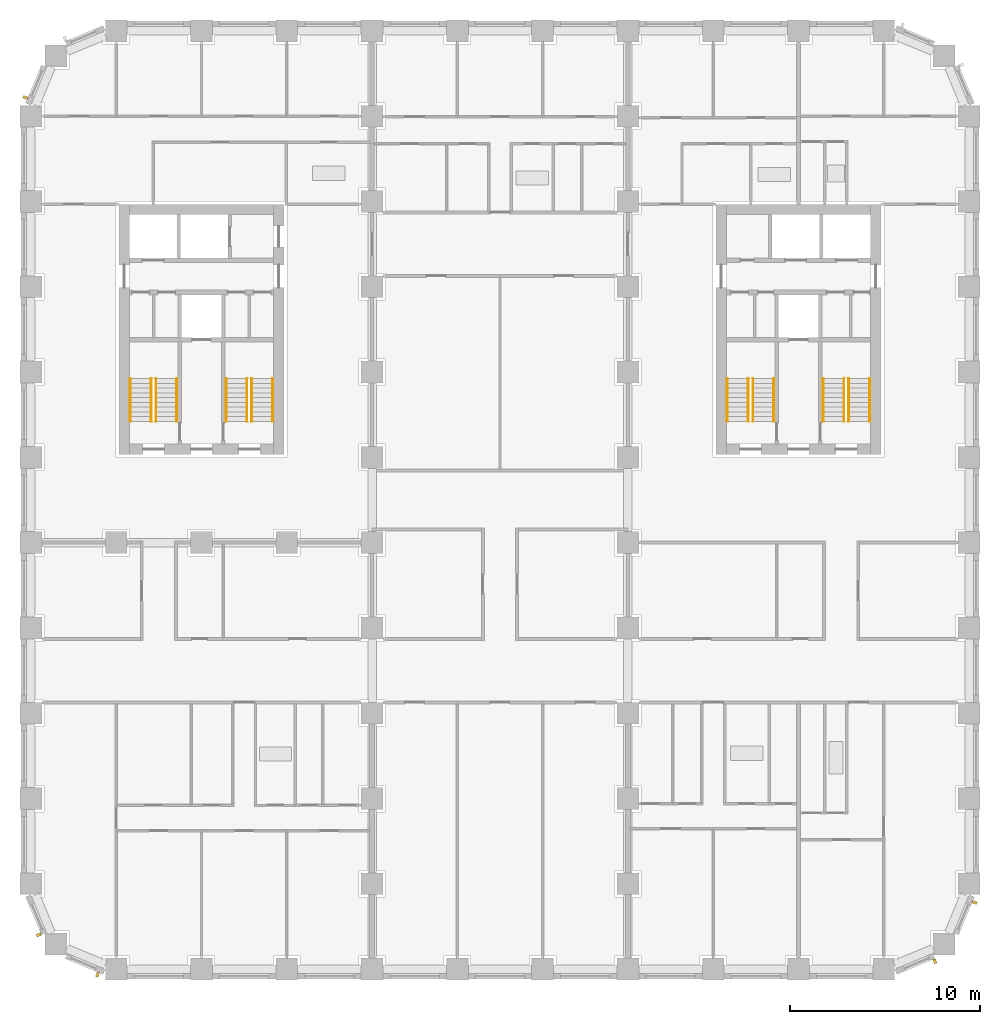
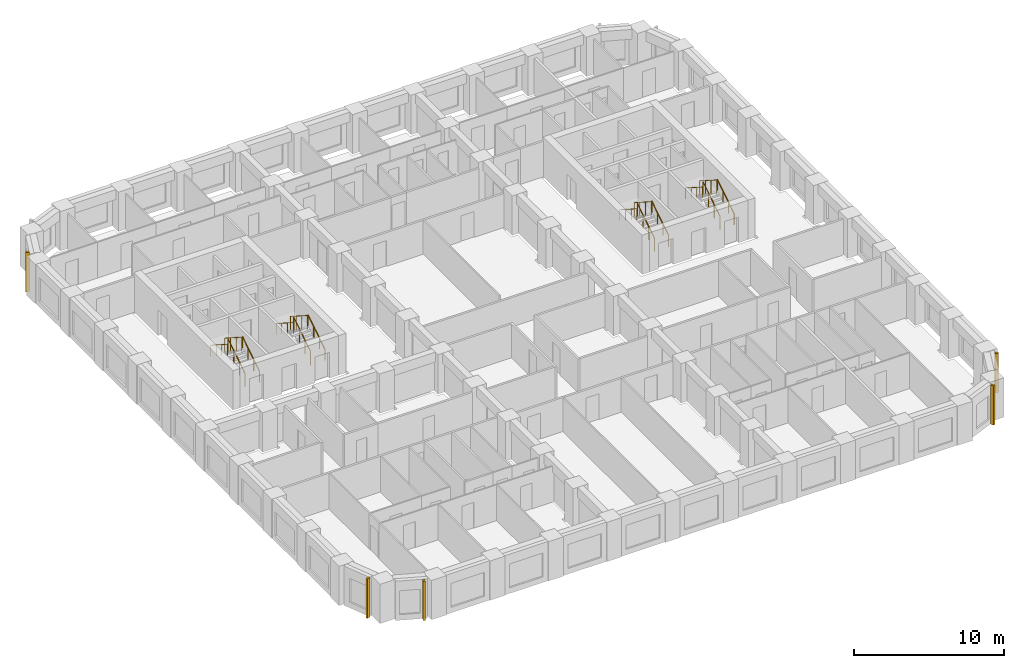
# One storey, part 11 of 13: 16 railings, 5 shading devices.
"""IFC4 building model written with IfcOpenShell, lengths in metres."""

from ifc_helpers import new_model, si_unit, direction, frame, origin, origin_2d, place, context, subcontext, project, spatial, rectangle, circle, extrude, material, type_object, element, save


model = new_model("IFC4")

# Units and contexts
model_context = context("Model", 3, precision=1e-05, world=origin(), true_north=direction((0.0, 1.0)))
body_context = subcontext(model_context, "Body", "Model", "MODEL_VIEW")
ifc_project = project(units=[si_unit("LENGTHUNIT", "METRE"), si_unit("AREAUNIT", "SQUARE_METRE"), si_unit("VOLUMEUNIT", "CUBIC_METRE"), si_unit("PLANEANGLEUNIT", "RADIAN"), si_unit("MASSUNIT", "GRAM", prefix="KILO")], contexts=[model_context])

# Site, building, storey
site_placement = place(None, origin())
site = spatial("IfcSite", under=ifc_project, at=site_placement, CompositionType="ELEMENT")
building_placement = place(site_placement, origin())
building = spatial("IfcBuilding", under=site, at=building_placement, Name="Girih Gate Residences", CompositionType="ELEMENT")
storey_placement = place(building_placement, frame((0.0, 0.0, 80.0)))
storey = spatial("IfcBuildingStorey", under=building, at=storey_placement, Name="L21", CompositionType="ELEMENT", Elevation=80.0)

# Shading devices
ifc_material_1 = material(Name="Precast concrete C50/60", Category="concrete")
shading_device_type = type_object("IfcShadingDeviceType", Name="Corner rib 150x250", PredefinedType="USERDEFINED", material=ifc_material_1)
for number, where, z_axis, x_axis, name in (
    (1, (0.412353515625, 1.8056640625, 0.0), (0.0, 0.0, 1.0), (0.382683432365, -0.923879532511, 0.0), "Corner rib SW0000_0045.0"),
    (2, (3.514892578125, -0.29541015625, 0.0), (0.0, 0.0, 1.0), (0.923879532511, -0.382683432365, 0.0), "Corner rib SW0013_0013.0"),
    (3, (47.6943359375, 0.412353515625, 0.0), (0.0, 0.0, 1.0), (0.923879532511, 0.382683432365, 0.0), "Corner rib SE0450_0000.0"),
    (4, (49.79541015625, 3.514892578125, 0.0), (0.0, 0.0, 1.0), (0.382683432365, 0.923879532511, 0.0), "Corner rib SE0482_0013.0"),
    (5, (-0.29541015625, 45.985107421875, 0.0), (0.0, 0.0, 1.0), (-0.382683432365, -0.923879532511, 0.0), "Corner rib NW0013_0482.0"),
):
    element("IfcShadingDevice", number, at=place(storey_placement, frame(where, z_axis=z_axis, x_axis=x_axis)), inside=storey, type_object=shading_device_type, Name=name, ObjectType="FIN", PredefinedType="USERDEFINED", context=body_context, shape_type="SweptSolid", body=[
        extrude(rectangle(XDim=0.14990234375, YDim=0.25, at=origin_2d()), origin(), (0.0, 0.0, 1.0), 3.199951171875),
    ])

# Railings
ifc_material_2 = material(Name="Stainless steel", Category="steel")
railing_type_1 = type_object("IfcRailingType", Name="Stair guard 1100", PredefinedType="GUARDRAIL", material=ifc_material_2)
railing_1_placement = place(storey_placement, frame((6.60009765625, 28.89990234375, 0.159912109375)))
element("IfcRailing", 6, at=railing_1_placement, inside=storey, type_object=railing_type_1, Name="L21 ST-W1 stair guard 1", PredefinedType="GUARDRAIL", context=body_context, shape_type="SweptSolid", body=[
    extrude(circle(Radius=0.02392578125, at=origin_2d()), frame((0.0, 0.0, 1.076171875), z_axis=(0.0, 0.842239864353, 0.539102968731), x_axis=(-1.0, 0.0, 0.0)), (0.0, 0.0, 1.0), 2.67138671875),
    extrude(circle(Radius=0.02099609375, at=origin_2d()), origin(), (0.0, 0.0, 1.0), 1.052001953125),
    extrude(circle(Radius=0.02099609375, at=origin_2d()), frame((0.0, 0.75, 0.47998046875)), (0.0, 0.0, 1.0), 1.052001953125),
    extrude(circle(Radius=0.02099609375, at=origin_2d()), frame((0.0, 1.5, 0.960205078125)), (0.0, 0.0, 1.0), 1.052001953125),
    extrude(circle(Radius=0.02099609375, at=origin_2d()), frame((0.0, 2.25, 1.440185546875)), (0.0, 0.0, 1.0), 1.052001953125),
])
railing_2_placement = place(storey_placement, frame((6.35009765625, 31.14990234375, 1.760009765625)))
element("IfcRailing", 7, at=railing_2_placement, inside=storey, type_object=railing_type_1, Name="L21 ST-W1 stair guard 2", PredefinedType="GUARDRAIL", context=body_context, shape_type="SweptSolid", body=[
    extrude(circle(Radius=0.02392578125, at=origin_2d()), frame((0.0, 0.0, 1.076171875), z_axis=(0.0, -0.842281359387, 0.539038135598), x_axis=(1.0, 0.0, 0.0)), (0.0, 0.0, 1.0), 2.67138671875),
    extrude(circle(Radius=0.02099609375, at=origin_2d()), origin(), (0.0, 0.0, 1.0), 1.052001953125),
    extrude(circle(Radius=0.02099609375, at=origin_2d()), frame((0.0, -0.75, 0.47998046875)), (0.0, 0.0, 1.0), 1.052001953125),
    extrude(circle(Radius=0.02099609375, at=origin_2d()), frame((0.0, -1.5, 0.9599609375)), (0.0, 0.0, 1.0), 1.052001953125),
    extrude(circle(Radius=0.02099609375, at=origin_2d()), frame((0.0, -2.25, 1.43994140625)), (0.0, 0.0, 1.0), 1.052001953125),
])
railing_3_placement = place(storey_placement, frame((11.64990234375, 28.89990234375, 0.159912109375)))
element("IfcRailing", 8, at=railing_3_placement, inside=storey, type_object=railing_type_1, Name="L21 ST-W2 stair guard 1", PredefinedType="GUARDRAIL", context=body_context, shape_type="SweptSolid", body=[
    extrude(circle(Radius=0.02392578125, at=origin_2d()), frame((0.0, 0.0, 1.076171875), z_axis=(0.0, 0.842239864353, 0.539102968731), x_axis=(-1.0, 0.0, 0.0)), (0.0, 0.0, 1.0), 2.67138671875),
    extrude(circle(Radius=0.02099609375, at=origin_2d()), origin(), (0.0, 0.0, 1.0), 1.052001953125),
    extrude(circle(Radius=0.02099609375, at=origin_2d()), frame((0.0, 0.75, 0.47998046875)), (0.0, 0.0, 1.0), 1.052001953125),
    extrude(circle(Radius=0.02099609375, at=origin_2d()), frame((0.0, 1.5, 0.960205078125)), (0.0, 0.0, 1.0), 1.052001953125),
    extrude(circle(Radius=0.02099609375, at=origin_2d()), frame((0.0, 2.25, 1.440185546875)), (0.0, 0.0, 1.0), 1.052001953125),
])
railing_4_placement = place(storey_placement, frame((11.39990234375, 31.14990234375, 1.760009765625)))
element("IfcRailing", 9, at=railing_4_placement, inside=storey, type_object=railing_type_1, Name="L21 ST-W2 stair guard 2", PredefinedType="GUARDRAIL", context=body_context, shape_type="SweptSolid", body=[
    extrude(circle(Radius=0.02392578125, at=origin_2d()), frame((0.0, 0.0, 1.076171875), z_axis=(0.0, -0.842281359387, 0.539038135598), x_axis=(1.0, 0.0, 0.0)), (0.0, 0.0, 1.0), 2.67138671875),
    extrude(circle(Radius=0.02099609375, at=origin_2d()), origin(), (0.0, 0.0, 1.0), 1.052001953125),
    extrude(circle(Radius=0.02099609375, at=origin_2d()), frame((0.0, -0.75, 0.47998046875)), (0.0, 0.0, 1.0), 1.052001953125),
    extrude(circle(Radius=0.02099609375, at=origin_2d()), frame((0.0, -1.5, 0.9599609375)), (0.0, 0.0, 1.0), 1.052001953125),
    extrude(circle(Radius=0.02099609375, at=origin_2d()), frame((0.0, -2.25, 1.43994140625)), (0.0, 0.0, 1.0), 1.052001953125),
])
railing_5_placement = place(storey_placement, frame((43.14990234375, 28.89990234375, 0.159912109375)))
element("IfcRailing", 10, at=railing_5_placement, inside=storey, type_object=railing_type_1, Name="L21 ST-E1 stair guard 1", PredefinedType="GUARDRAIL", context=body_context, shape_type="SweptSolid", body=[
    extrude(circle(Radius=0.02392578125, at=origin_2d()), frame((0.0, 0.0, 1.076171875), z_axis=(0.0, 0.842239864353, 0.539102968731), x_axis=(-1.0, 0.0, 0.0)), (0.0, 0.0, 1.0), 2.67138671875),
    extrude(circle(Radius=0.02099609375, at=origin_2d()), origin(), (0.0, 0.0, 1.0), 1.052001953125),
    extrude(circle(Radius=0.02099609375, at=origin_2d()), frame((0.0, 0.75, 0.47998046875)), (0.0, 0.0, 1.0), 1.052001953125),
    extrude(circle(Radius=0.02099609375, at=origin_2d()), frame((0.0, 1.5, 0.960205078125)), (0.0, 0.0, 1.0), 1.052001953125),
    extrude(circle(Radius=0.02099609375, at=origin_2d()), frame((0.0, 2.25, 1.440185546875)), (0.0, 0.0, 1.0), 1.052001953125),
])
railing_6_placement = place(storey_placement, frame((42.89990234375, 31.14990234375, 1.760009765625)))
element("IfcRailing", 11, at=railing_6_placement, inside=storey, type_object=railing_type_1, Name="L21 ST-E1 stair guard 2", PredefinedType="GUARDRAIL", context=body_context, shape_type="SweptSolid", body=[
    extrude(circle(Radius=0.02392578125, at=origin_2d()), frame((0.0, 0.0, 1.076171875), z_axis=(0.0, -0.842281359387, 0.539038135598), x_axis=(1.0, 0.0, 0.0)), (0.0, 0.0, 1.0), 2.67138671875),
    extrude(circle(Radius=0.02099609375, at=origin_2d()), origin(), (0.0, 0.0, 1.0), 1.052001953125),
    extrude(circle(Radius=0.02099609375, at=origin_2d()), frame((0.0, -0.75, 0.47998046875)), (0.0, 0.0, 1.0), 1.052001953125),
    extrude(circle(Radius=0.02099609375, at=origin_2d()), frame((0.0, -1.5, 0.9599609375)), (0.0, 0.0, 1.0), 1.052001953125),
    extrude(circle(Radius=0.02099609375, at=origin_2d()), frame((0.0, -2.25, 1.43994140625)), (0.0, 0.0, 1.0), 1.052001953125),
])
railing_7_placement = place(storey_placement, frame((38.10009765625, 28.89990234375, 0.159912109375)))
element("IfcRailing", 12, at=railing_7_placement, inside=storey, type_object=railing_type_1, Name="L21 ST-E2 stair guard 1", PredefinedType="GUARDRAIL", context=body_context, shape_type="SweptSolid", body=[
    extrude(circle(Radius=0.02392578125, at=origin_2d()), frame((0.0, 0.0, 1.076171875), z_axis=(0.0, 0.842239864353, 0.539102968731), x_axis=(-1.0, 0.0, 0.0)), (0.0, 0.0, 1.0), 2.67138671875),
    extrude(circle(Radius=0.02099609375, at=origin_2d()), origin(), (0.0, 0.0, 1.0), 1.052001953125),
    extrude(circle(Radius=0.02099609375, at=origin_2d()), frame((0.0, 0.75, 0.47998046875)), (0.0, 0.0, 1.0), 1.052001953125),
    extrude(circle(Radius=0.02099609375, at=origin_2d()), frame((0.0, 1.5, 0.960205078125)), (0.0, 0.0, 1.0), 1.052001953125),
    extrude(circle(Radius=0.02099609375, at=origin_2d()), frame((0.0, 2.25, 1.440185546875)), (0.0, 0.0, 1.0), 1.052001953125),
])
railing_8_placement = place(storey_placement, frame((37.85009765625, 31.14990234375, 1.760009765625)))
element("IfcRailing", 13, at=railing_8_placement, inside=storey, type_object=railing_type_1, Name="L21 ST-E2 stair guard 2", PredefinedType="GUARDRAIL", context=body_context, shape_type="SweptSolid", body=[
    extrude(circle(Radius=0.02392578125, at=origin_2d()), frame((0.0, 0.0, 1.076171875), z_axis=(0.0, -0.842281359387, 0.539038135598), x_axis=(1.0, 0.0, 0.0)), (0.0, 0.0, 1.0), 2.67138671875),
    extrude(circle(Radius=0.02099609375, at=origin_2d()), origin(), (0.0, 0.0, 1.0), 1.052001953125),
    extrude(circle(Radius=0.02099609375, at=origin_2d()), frame((0.0, -0.75, 0.47998046875)), (0.0, 0.0, 1.0), 1.052001953125),
    extrude(circle(Radius=0.02099609375, at=origin_2d()), frame((0.0, -1.5, 0.9599609375)), (0.0, 0.0, 1.0), 1.052001953125),
    extrude(circle(Radius=0.02099609375, at=origin_2d()), frame((0.0, -2.25, 1.43994140625)), (0.0, 0.0, 1.0), 1.052001953125),
])
railing_type_2 = type_object("IfcRailingType", Name="Stair handrail 900", PredefinedType="HANDRAIL", material=ifc_material_2)
railing_9_placement = place(storey_placement, frame((7.699951171875, 28.89990234375, 0.159912109375)))
element("IfcRailing", 14, at=railing_9_placement, inside=storey, type_object=railing_type_2, Name="L21 ST-W1 stair handrail 1", PredefinedType="HANDRAIL", context=body_context, shape_type="SweptSolid", body=[
    extrude(circle(Radius=0.02392578125, at=origin_2d()), frame((0.0, 0.0, 0.8857421875), z_axis=(0.0, 0.842239864353, 0.539102968731), x_axis=(-1.0, 0.0, 0.0)), (0.0, 0.0, 1.0), 2.67138671875),
    extrude(circle(Radius=0.02099609375, at=origin_2d()), origin(), (0.0, 0.0, 1.0), 0.86181640625),
    extrude(circle(Radius=0.02099609375, at=origin_2d()), frame((0.0, 0.75, 0.47998046875)), (0.0, 0.0, 1.0), 0.86181640625),
    extrude(circle(Radius=0.02099609375, at=origin_2d()), frame((0.0, 1.5, 0.960205078125)), (0.0, 0.0, 1.0), 0.86181640625),
    extrude(circle(Radius=0.02099609375, at=origin_2d()), frame((0.0, 2.25, 1.440185546875)), (0.0, 0.0, 1.0), 0.86181640625),
])
railing_10_placement = place(storey_placement, frame((5.25, 31.14990234375, 1.760009765625)))
element("IfcRailing", 15, at=railing_10_placement, inside=storey, type_object=railing_type_2, Name="L21 ST-W1 stair handrail 2", PredefinedType="HANDRAIL", context=body_context, shape_type="SweptSolid", body=[
    extrude(circle(Radius=0.02392578125, at=origin_2d()), frame((0.0, 0.0, 0.8857421875), z_axis=(0.0, -0.842281359387, 0.539038135598), x_axis=(1.0, 0.0, 0.0)), (0.0, 0.0, 1.0), 2.67138671875),
    extrude(circle(Radius=0.02099609375, at=origin_2d()), origin(), (0.0, 0.0, 1.0), 0.86181640625),
    extrude(circle(Radius=0.02099609375, at=origin_2d()), frame((0.0, -0.75, 0.47998046875)), (0.0, 0.0, 1.0), 0.86181640625),
    extrude(circle(Radius=0.02099609375, at=origin_2d()), frame((0.0, -1.5, 0.9599609375)), (0.0, 0.0, 1.0), 0.86181640625),
    extrude(circle(Radius=0.02099609375, at=origin_2d()), frame((0.0, -2.25, 1.43994140625)), (0.0, 0.0, 1.0), 0.86181640625),
])
railing_11_placement = place(storey_placement, frame((12.75, 28.89990234375, 0.159912109375)))
element("IfcRailing", 16, at=railing_11_placement, inside=storey, type_object=railing_type_2, Name="L21 ST-W2 stair handrail 1", PredefinedType="HANDRAIL", context=body_context, shape_type="SweptSolid", body=[
    extrude(circle(Radius=0.02392578125, at=origin_2d()), frame((0.0, 0.0, 0.8857421875), z_axis=(0.0, 0.842239864353, 0.539102968731), x_axis=(-1.0, 0.0, 0.0)), (0.0, 0.0, 1.0), 2.67138671875),
    extrude(circle(Radius=0.02099609375, at=origin_2d()), origin(), (0.0, 0.0, 1.0), 0.86181640625),
    extrude(circle(Radius=0.02099609375, at=origin_2d()), frame((0.0, 0.75, 0.47998046875)), (0.0, 0.0, 1.0), 0.86181640625),
    extrude(circle(Radius=0.02099609375, at=origin_2d()), frame((0.0, 1.5, 0.960205078125)), (0.0, 0.0, 1.0), 0.86181640625),
    extrude(circle(Radius=0.02099609375, at=origin_2d()), frame((0.0, 2.25, 1.440185546875)), (0.0, 0.0, 1.0), 0.86181640625),
])
railing_12_placement = place(storey_placement, frame((10.300048828125, 31.14990234375, 1.760009765625)))
element("IfcRailing", 17, at=railing_12_placement, inside=storey, type_object=railing_type_2, Name="L21 ST-W2 stair handrail 2", PredefinedType="HANDRAIL", context=body_context, shape_type="SweptSolid", body=[
    extrude(circle(Radius=0.02392578125, at=origin_2d()), frame((0.0, 0.0, 0.8857421875), z_axis=(0.0, -0.842281359387, 0.539038135598), x_axis=(1.0, 0.0, 0.0)), (0.0, 0.0, 1.0), 2.67138671875),
    extrude(circle(Radius=0.02099609375, at=origin_2d()), origin(), (0.0, 0.0, 1.0), 0.86181640625),
    extrude(circle(Radius=0.02099609375, at=origin_2d()), frame((0.0, -0.75, 0.47998046875)), (0.0, 0.0, 1.0), 0.86181640625),
    extrude(circle(Radius=0.02099609375, at=origin_2d()), frame((0.0, -1.5, 0.9599609375)), (0.0, 0.0, 1.0), 0.86181640625),
    extrude(circle(Radius=0.02099609375, at=origin_2d()), frame((0.0, -2.25, 1.43994140625)), (0.0, 0.0, 1.0), 0.86181640625),
])
railing_13_placement = place(storey_placement, frame((44.25, 28.89990234375, 0.159912109375)))
element("IfcRailing", 18, at=railing_13_placement, inside=storey, type_object=railing_type_2, Name="L21 ST-E1 stair handrail 1", PredefinedType="HANDRAIL", context=body_context, shape_type="SweptSolid", body=[
    extrude(circle(Radius=0.02392578125, at=origin_2d()), frame((0.0, 0.0, 0.8857421875), z_axis=(0.0, 0.842239864353, 0.539102968731), x_axis=(-1.0, 0.0, 0.0)), (0.0, 0.0, 1.0), 2.67138671875),
    extrude(circle(Radius=0.02099609375, at=origin_2d()), origin(), (0.0, 0.0, 1.0), 0.86181640625),
    extrude(circle(Radius=0.02099609375, at=origin_2d()), frame((0.0, 0.75, 0.47998046875)), (0.0, 0.0, 1.0), 0.86181640625),
    extrude(circle(Radius=0.02099609375, at=origin_2d()), frame((0.0, 1.5, 0.960205078125)), (0.0, 0.0, 1.0), 0.86181640625),
    extrude(circle(Radius=0.02099609375, at=origin_2d()), frame((0.0, 2.25, 1.440185546875)), (0.0, 0.0, 1.0), 0.86181640625),
])
railing_14_placement = place(storey_placement, frame((41.800048828125, 31.14990234375, 1.760009765625)))
element("IfcRailing", 19, at=railing_14_placement, inside=storey, type_object=railing_type_2, Name="L21 ST-E1 stair handrail 2", PredefinedType="HANDRAIL", context=body_context, shape_type="SweptSolid", body=[
    extrude(circle(Radius=0.02392578125, at=origin_2d()), frame((0.0, 0.0, 0.8857421875), z_axis=(0.0, -0.842281359387, 0.539038135598), x_axis=(1.0, 0.0, 0.0)), (0.0, 0.0, 1.0), 2.67138671875),
    extrude(circle(Radius=0.02099609375, at=origin_2d()), origin(), (0.0, 0.0, 1.0), 0.86181640625),
    extrude(circle(Radius=0.02099609375, at=origin_2d()), frame((0.0, -0.75, 0.47998046875)), (0.0, 0.0, 1.0), 0.86181640625),
    extrude(circle(Radius=0.02099609375, at=origin_2d()), frame((0.0, -1.5, 0.9599609375)), (0.0, 0.0, 1.0), 0.86181640625),
    extrude(circle(Radius=0.02099609375, at=origin_2d()), frame((0.0, -2.25, 1.43994140625)), (0.0, 0.0, 1.0), 0.86181640625),
])
railing_15_placement = place(storey_placement, frame((39.199951171875, 28.89990234375, 0.159912109375)))
element("IfcRailing", 20, at=railing_15_placement, inside=storey, type_object=railing_type_2, Name="L21 ST-E2 stair handrail 1", PredefinedType="HANDRAIL", context=body_context, shape_type="SweptSolid", body=[
    extrude(circle(Radius=0.02392578125, at=origin_2d()), frame((0.0, 0.0, 0.8857421875), z_axis=(0.0, 0.842239864353, 0.539102968731), x_axis=(-1.0, 0.0, 0.0)), (0.0, 0.0, 1.0), 2.67138671875),
    extrude(circle(Radius=0.02099609375, at=origin_2d()), origin(), (0.0, 0.0, 1.0), 0.86181640625),
    extrude(circle(Radius=0.02099609375, at=origin_2d()), frame((0.0, 0.75, 0.47998046875)), (0.0, 0.0, 1.0), 0.86181640625),
    extrude(circle(Radius=0.02099609375, at=origin_2d()), frame((0.0, 1.5, 0.960205078125)), (0.0, 0.0, 1.0), 0.86181640625),
    extrude(circle(Radius=0.02099609375, at=origin_2d()), frame((0.0, 2.25, 1.440185546875)), (0.0, 0.0, 1.0), 0.86181640625),
])
railing_16_placement = place(storey_placement, frame((36.75, 31.14990234375, 1.760009765625)))
element("IfcRailing", 21, at=railing_16_placement, inside=storey, type_object=railing_type_2, Name="L21 ST-E2 stair handrail 2", PredefinedType="HANDRAIL", context=body_context, shape_type="SweptSolid", body=[
    extrude(circle(Radius=0.02392578125, at=origin_2d()), frame((0.0, 0.0, 0.8857421875), z_axis=(0.0, -0.842281359387, 0.539038135598), x_axis=(1.0, 0.0, 0.0)), (0.0, 0.0, 1.0), 2.67138671875),
    extrude(circle(Radius=0.02099609375, at=origin_2d()), origin(), (0.0, 0.0, 1.0), 0.86181640625),
    extrude(circle(Radius=0.02099609375, at=origin_2d()), frame((0.0, -0.75, 0.47998046875)), (0.0, 0.0, 1.0), 0.86181640625),
    extrude(circle(Radius=0.02099609375, at=origin_2d()), frame((0.0, -1.5, 0.9599609375)), (0.0, 0.0, 1.0), 0.86181640625),
    extrude(circle(Radius=0.02099609375, at=origin_2d()), frame((0.0, -2.25, 1.43994140625)), (0.0, 0.0, 1.0), 0.86181640625),
])

save(model, "model.ifc")
